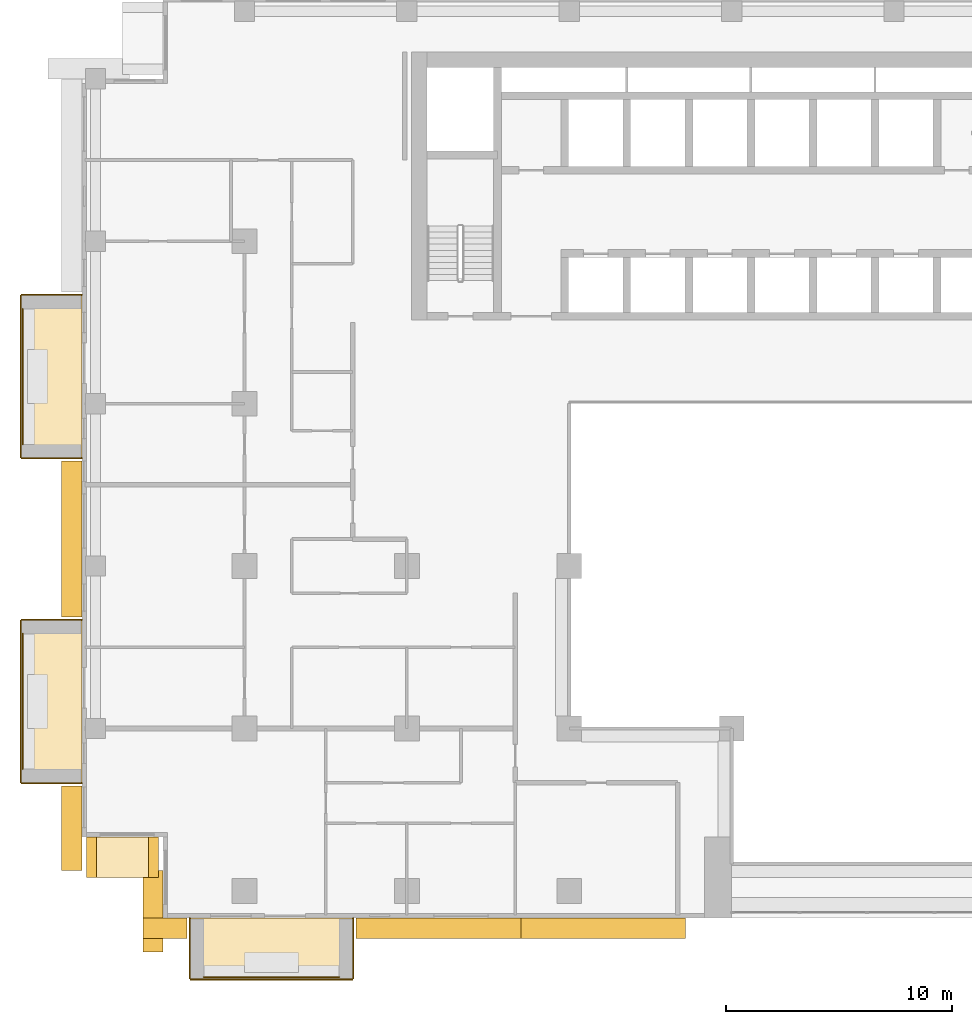
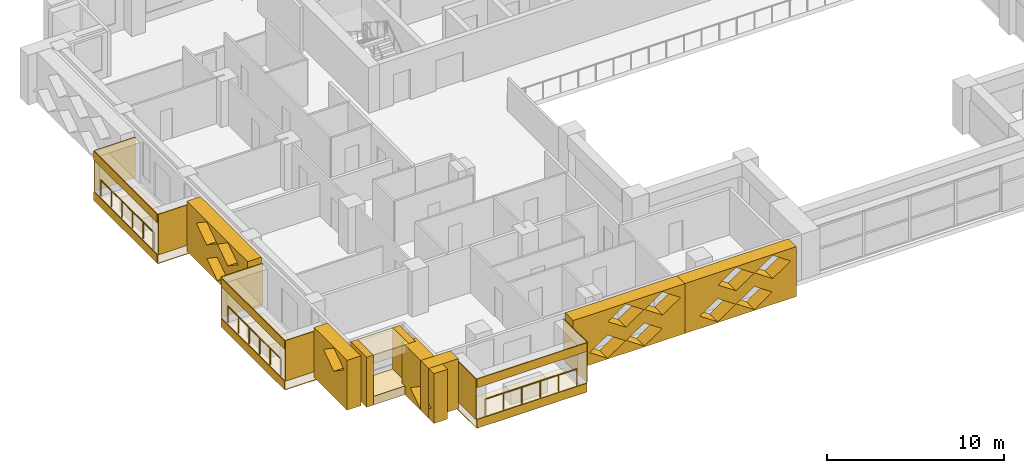
# One storey, part 13 of 19: 25 coverings, 3 railings.
"""IFC4 building model written with IfcOpenShell, lengths in metres."""

from ifc_helpers import new_model, si_unit, direction, frame, origin, origin_2d, place, context, subcontext, project, spatial, polyline, circle, outline, extrude, material, layer, layer_set, type_object, element, save


model = new_model("IFC4")

# Units and contexts
model_context = context("Model", 3, precision=1e-05, world=origin(), true_north=direction((0.0, 1.0)))
body_context = subcontext(model_context, "Body", "Model", "MODEL_VIEW")
ifc_project = project(units=[si_unit("LENGTHUNIT", "METRE"), si_unit("AREAUNIT", "SQUARE_METRE"), si_unit("VOLUMEUNIT", "CUBIC_METRE"), si_unit("PLANEANGLEUNIT", "RADIAN"), si_unit("MASSUNIT", "GRAM", prefix="KILO")], contexts=[model_context])

# Site, building, storey
site_placement = place(None, origin())
site = spatial("IfcSite", under=ifc_project, at=site_placement, CompositionType="ELEMENT")
building_placement = place(site_placement, origin())
building = spatial("IfcBuilding", under=site, at=building_placement, Name="Saffron Iwan Residences", CompositionType="ELEMENT")
storey_placement = place(building_placement, frame((0.0, 0.0, 134.0)))
storey = spatial("IfcBuildingStorey", under=building, at=storey_placement, Name="L35", CompositionType="ELEMENT", Elevation=134.0)

# Railings
ifc_material_1 = material(Name="Stainless steel 316", Category="steel")
railing_type = type_object("IfcRailingType", Name="BALCONY GUARD 1150", PredefinedType="GUARDRAIL", material=ifc_material_1)
for number, where, name in (
    (1, (11.77490234375, 66.60009765625, 0.0), "Balcony guard L35 F8-0"),
    (2, (11.77490234375, 52.199951171875, 0.0), "Balcony guard L35 F8-1"),
):
    element("IfcRailing", number, at=place(storey_placement, frame(where)), inside=storey, type_object=railing_type, Name=name, PredefinedType="GUARDRAIL", context=body_context, shape_type="SweptSolid", body=[
        extrude(circle(Radius=0.02392578125, at=origin_2d()), frame((0.0, 0.0, 1.1259765625), z_axis=(0.0, -1.0, 0.0), x_axis=(1.0, 0.0, 0.0)), (0.0, 0.0, 1.0), 6.0),
        extrude(circle(Radius=0.02099609375, at=origin_2d()), origin(), (0.0, 0.0, 1.0), 1.101806640625),
        extrude(circle(Radius=0.02099609375, at=origin_2d()), frame((0.0, -1.199951171875, 0.0)), (0.0, 0.0, 1.0), 1.101806640625),
        extrude(circle(Radius=0.02099609375, at=origin_2d()), frame((0.0, -2.39990234375, 0.0)), (0.0, 0.0, 1.0), 1.101806640625),
        extrude(circle(Radius=0.02099609375, at=origin_2d()), frame((0.0, -3.60009765625, 0.0)), (0.0, 0.0, 1.0), 1.101806640625),
        extrude(circle(Radius=0.02099609375, at=origin_2d()), frame((0.0, -4.800048828125, 0.0)), (0.0, 0.0, 1.0), 1.101806640625),
        extrude(circle(Radius=0.02099609375, at=origin_2d()), frame((0.0, -6.0, 0.0)), (0.0, 0.0, 1.0), 1.101806640625),
    ])
railing_placement = place(storey_placement, frame((19.800048828125, 36.97509765625, 0.0)))
element("IfcRailing", 3, at=railing_placement, inside=storey, type_object=railing_type, Name="Balcony guard L35 11-0", PredefinedType="GUARDRAIL", context=body_context, shape_type="SweptSolid", body=[
    extrude(circle(Radius=0.02392578125, at=origin_2d()), frame((0.0, 0.0, 1.1259765625), z_axis=(1.0, 0.0, 0.0), x_axis=(0.0, 1.0, 0.0)), (0.0, 0.0, 1.0), 6.0),
    extrude(circle(Radius=0.02099609375, at=origin_2d()), origin(), (0.0, 0.0, 1.0), 1.101806640625),
    extrude(circle(Radius=0.02099609375, at=origin_2d()), frame((1.199951171875, 0.0, 0.0)), (0.0, 0.0, 1.0), 1.101806640625),
    extrude(circle(Radius=0.02099609375, at=origin_2d()), frame((2.39990234375, 0.0, 0.0)), (0.0, 0.0, 1.0), 1.101806640625),
    extrude(circle(Radius=0.02099609375, at=origin_2d()), frame((3.60009765625, 0.0, 0.0)), (0.0, 0.0, 1.0), 1.101806640625),
    extrude(circle(Radius=0.02099609375, at=origin_2d()), frame((4.800048828125, 0.0, 0.0)), (0.0, 0.0, 1.0), 1.101806640625),
    extrude(circle(Radius=0.02099609375, at=origin_2d()), frame((6.0, 0.0, 0.0)), (0.0, 0.0, 1.0), 1.101806640625),
])

# Coverings
ifc_material_2 = material(Name="Precast concrete C40/50 white painted", Category="concrete")
ifc_layer = layer(ifc_material_2, 0.050048828125)
ifc_layer_set = layer_set([ifc_layer], Name="Precast concrete C40/50 white painted")
covering_type_1 = type_object("IfcCoveringType", Name="FRAME SKIN PRECAST WHITE 50", PredefinedType="CLADDING", material=ifc_layer_set)
for number, where, name in (
    (4, (0.0, 0.0, -0.60009765625), "Frame skin slab edge L35 F8-0"),
    (5, (0.0, 0.0, 2.199951171875), "Frame skin fascia L35 F8-0"),
):
    element("IfcCovering", number, at=place(storey_placement, frame(where)), inside=storey, type_object=covering_type_1, Name=name, PredefinedType="CLADDING", context=body_context, shape_type="SweptSolid", body=[
        extrude(outline(polyline([(11.64990234375, 67.199951171875), (11.64990234375, 60.0), (11.699951171875, 60.0), (11.699951171875, 67.199951171875), (11.64990234375, 67.199951171875)])), origin(), (0.0, 0.0, 1.0), 0.60009765625),
    ])
covering_1_placement = place(storey_placement, frame((0.0, 0.0, -0.64990234375)))
element("IfcCovering", 6, at=covering_1_placement, inside=storey, type_object=covering_type_1, Name="Frame skin soffit L35 F8-0", PredefinedType="CLADDING", context=body_context, shape_type="SweptSolid", body=[
    extrude(outline(polyline([(11.699951171875, 67.199951171875), (11.699951171875, 60.0), (14.39990234375, 60.0), (14.39990234375, 67.199951171875), (11.699951171875, 67.199951171875)])), origin(), (0.0, 0.0, 1.0), 0.0498046875),
])
covering_2_placement = place(storey_placement, origin())
element("IfcCovering", 7, at=covering_2_placement, inside=storey, type_object=covering_type_1, Name="Frame skin fin L35 F8-0a", PredefinedType="CLADDING", context=body_context, shape_type="SweptSolid", body=[
    extrude(outline(polyline([(11.699951171875, 67.25), (11.699951171875, 67.199951171875), (14.39990234375, 67.199951171875), (14.39990234375, 67.25), (11.699951171875, 67.25)])), origin(), (0.0, 0.0, 1.0), 2.800048828125),
])
covering_3_placement = place(storey_placement, origin())
element("IfcCovering", 8, at=covering_3_placement, inside=storey, type_object=covering_type_1, Name="Frame skin fin L35 F8-0b", PredefinedType="CLADDING", context=body_context, shape_type="SweptSolid", body=[
    extrude(outline(polyline([(11.699951171875, 60.0), (11.699951171875, 59.949951171875), (14.39990234375, 59.949951171875), (14.39990234375, 60.0), (11.699951171875, 60.0)])), origin(), (0.0, 0.0, 1.0), 2.800048828125),
])
for number, where, name in (
    (9, (0.0, 0.0, -0.60009765625), "Frame skin slab edge L35 F8-1"),
    (10, (0.0, 0.0, 2.199951171875), "Frame skin fascia L35 F8-1"),
):
    element("IfcCovering", number, at=place(storey_placement, frame(where)), inside=storey, type_object=covering_type_1, Name=name, PredefinedType="CLADDING", context=body_context, shape_type="SweptSolid", body=[
        extrude(outline(polyline([(11.64990234375, 52.800048828125), (11.64990234375, 45.60009765625), (11.699951171875, 45.60009765625), (11.699951171875, 52.800048828125), (11.64990234375, 52.800048828125)])), origin(), (0.0, 0.0, 1.0), 0.60009765625),
    ])
covering_4_placement = place(storey_placement, frame((0.0, 0.0, -0.64990234375)))
element("IfcCovering", 11, at=covering_4_placement, inside=storey, type_object=covering_type_1, Name="Frame skin soffit L35 F8-1", PredefinedType="CLADDING", context=body_context, shape_type="SweptSolid", body=[
    extrude(outline(polyline([(11.699951171875, 52.800048828125), (11.699951171875, 45.60009765625), (14.39990234375, 45.60009765625), (14.39990234375, 52.800048828125), (11.699951171875, 52.800048828125)])), origin(), (0.0, 0.0, 1.0), 0.0498046875),
])
covering_5_placement = place(storey_placement, origin())
element("IfcCovering", 12, at=covering_5_placement, inside=storey, type_object=covering_type_1, Name="Frame skin fin L35 F8-1a", PredefinedType="CLADDING", context=body_context, shape_type="SweptSolid", body=[
    extrude(outline(polyline([(11.699951171875, 52.85009765625), (11.699951171875, 52.800048828125), (14.39990234375, 52.800048828125), (14.39990234375, 52.85009765625), (11.699951171875, 52.85009765625)])), origin(), (0.0, 0.0, 1.0), 2.800048828125),
])
covering_6_placement = place(storey_placement, origin())
element("IfcCovering", 13, at=covering_6_placement, inside=storey, type_object=covering_type_1, Name="Frame skin fin L35 F8-1b", PredefinedType="CLADDING", context=body_context, shape_type="SweptSolid", body=[
    extrude(outline(polyline([(11.699951171875, 45.60009765625), (11.699951171875, 45.550048828125), (14.39990234375, 45.550048828125), (14.39990234375, 45.60009765625), (11.699951171875, 45.60009765625)])), origin(), (0.0, 0.0, 1.0), 2.800048828125),
])
for number, where, name in (
    (14, (0.0, 0.0, -0.60009765625), "Frame skin slab edge L35 11-0"),
    (15, (0.0, 0.0, 2.199951171875), "Frame skin fascia L35 11-0"),
):
    element("IfcCovering", number, at=place(storey_placement, frame(where)), inside=storey, type_object=covering_type_1, Name=name, PredefinedType="CLADDING", context=body_context, shape_type="SweptSolid", body=[
        extrude(outline(polyline([(19.199951171875, 36.85009765625), (26.39990234375, 36.85009765625), (26.39990234375, 36.89990234375), (19.199951171875, 36.89990234375), (19.199951171875, 36.85009765625)])), origin(), (0.0, 0.0, 1.0), 0.60009765625),
    ])
covering_7_placement = place(storey_placement, frame((0.0, 0.0, -0.64990234375)))
element("IfcCovering", 16, at=covering_7_placement, inside=storey, type_object=covering_type_1, Name="Frame skin soffit L35 11-0", PredefinedType="CLADDING", context=body_context, shape_type="SweptSolid", body=[
    extrude(outline(polyline([(19.199951171875, 36.89990234375), (26.39990234375, 36.89990234375), (26.39990234375, 39.60009765625), (19.199951171875, 39.60009765625), (19.199951171875, 36.89990234375)])), origin(), (0.0, 0.0, 1.0), 0.0498046875),
])
covering_8_placement = place(storey_placement, origin())
element("IfcCovering", 17, at=covering_8_placement, inside=storey, type_object=covering_type_1, Name="Frame skin fin L35 11-0a", PredefinedType="CLADDING", context=body_context, shape_type="SweptSolid", body=[
    extrude(outline(polyline([(19.14990234375, 36.89990234375), (19.199951171875, 36.89990234375), (19.199951171875, 39.60009765625), (19.14990234375, 39.60009765625), (19.14990234375, 36.89990234375)])), origin(), (0.0, 0.0, 1.0), 2.800048828125),
])
covering_9_placement = place(storey_placement, origin())
element("IfcCovering", 18, at=covering_9_placement, inside=storey, type_object=covering_type_1, Name="Frame skin fin L35 11-0b", PredefinedType="CLADDING", context=body_context, shape_type="SweptSolid", body=[
    extrude(outline(polyline([(26.39990234375, 36.89990234375), (26.449951171875, 36.89990234375), (26.449951171875, 39.60009765625), (26.39990234375, 39.60009765625), (26.39990234375, 36.89990234375)])), origin(), (0.0, 0.0, 1.0), 2.800048828125),
])
ifc_material_3 = material(Name="Precast concrete C40/50", Category="concrete")
covering_type_2 = type_object("IfcCoveringType", Name="OUTER SKIN LATTICE SCREEN", PredefinedType="CLADDING", material=ifc_material_3)
covering_10_placement = place(storey_placement, frame((14.39990234375, 59.85009765625, -0.300048828125), z_axis=(-1.0, 0.0, 0.0), x_axis=(0.0, -1.0, 0.0)))
element("IfcCovering", 19, at=covering_10_placement, inside=storey, type_object=covering_type_2, Name="OUTER SKIN lattice screen L35 F8.1", PredefinedType="CLADDING", context=body_context, shape_type="SweptSolid", body=[
    extrude(outline(polyline([(0.0, 0.0), (6.89990234375, 0.0), (6.89990234375, 3.449951171875), (0.0, 3.449951171875), (0.0, 0.0)]), holes=[polyline([(2.27001953125, 0.862548828125), (3.449951171875, 0.06005859375), (4.6298828125, 0.862548828125), (3.449951171875, 1.6650390625), (2.27001953125, 0.862548828125)]), polyline([(1.070068359375, 2.58740234375), (2.25, 1.784912109375), (3.429931640625, 2.58740234375), (2.25, 3.389892578125), (1.070068359375, 2.58740234375)]), polyline([(3.469970703125, 2.58740234375), (4.64990234375, 1.784912109375), (5.830078125, 2.58740234375), (4.64990234375, 3.389892578125), (3.469970703125, 2.58740234375)])]), origin(), (0.0, 0.0, 1.0), 0.89990234375),
])
covering_11_placement = place(storey_placement, frame((14.39990234375, 45.449951171875, -0.300048828125), z_axis=(-1.0, 0.0, 0.0), x_axis=(0.0, -1.0, 0.0)))
element("IfcCovering", 20, at=covering_11_placement, inside=storey, type_object=covering_type_2, Name="OUTER SKIN lattice screen L35 F8.2", PredefinedType="CLADDING", context=body_context, shape_type="SweptSolid", body=[
    extrude(outline(polyline([(0.0, 0.0), (3.75, 0.0), (3.75, 3.449951171875), (0.0, 3.449951171875), (0.0, 0.0)]), holes=[polyline([(1.070068359375, 2.58740234375), (2.25, 1.784912109375), (3.429931640625, 2.58740234375), (2.25, 3.389892578125), (1.070068359375, 2.58740234375)])]), origin(), (0.0, 0.0, 1.0), 0.89990234375),
])
covering_12_placement = place(storey_placement, frame((18.0, 41.699951171875, -0.300048828125), z_axis=(-1.0, 0.0, 0.0), x_axis=(0.0, -1.0, 0.0)))
element("IfcCovering", 21, at=covering_12_placement, inside=storey, type_object=covering_type_2, Name="OUTER SKIN lattice screen L35 F10.0", PredefinedType="CLADDING", context=body_context, shape_type="SweptSolid", body=[
    extrude(outline(polyline([(0.0, 0.0), (3.60009765625, 0.0), (3.60009765625, 3.449951171875), (0.0, 3.449951171875), (0.0, 0.0)]), holes=[polyline([(0.919921875, 0.862548828125), (2.10009765625, 0.06005859375), (3.280029296875, 0.862548828125), (2.10009765625, 1.6650390625), (0.919921875, 0.862548828125)])]), origin(), (0.0, 0.0, 1.0), 0.89990234375),
])
covering_13_placement = place(storey_placement, frame((17.10009765625, 39.60009765625, -0.300048828125), z_axis=(0.0, -1.0, 0.0), x_axis=(1.0, 0.0, 0.0)))
element("IfcCovering", 22, at=covering_13_placement, inside=storey, type_object=covering_type_2, Name="OUTER SKIN lattice screen L35 F11.0", PredefinedType="CLADDING", context=body_context, shape_type="SweptSolid", body=[
    extrude(outline(polyline([(0.0, 0.0), (1.949951171875, 0.0), (1.949951171875, 3.449951171875), (0.0, 3.449951171875), (0.0, 0.0)])), origin(), (0.0, 0.0, 1.0), 0.900146484375),
])
covering_14_placement = place(storey_placement, frame((26.550048828125, 39.60009765625, -0.300048828125), z_axis=(0.0, -1.0, 0.0), x_axis=(1.0, 0.0, 0.0)))
element("IfcCovering", 23, at=covering_14_placement, inside=storey, type_object=covering_type_2, Name="OUTER SKIN lattice screen L35 F11.1", PredefinedType="CLADDING", context=body_context, shape_type="SweptSolid", body=[
    extrude(outline(polyline([(0.0, 0.0), (7.300048828125, 0.0), (7.300048828125, 3.449951171875), (0.0, 3.449951171875), (0.0, 0.0)]), holes=[polyline([(1.070068359375, 0.862548828125), (2.25, 0.06005859375), (3.429931640625, 0.862548828125), (2.25, 1.6650390625), (1.070068359375, 0.862548828125)]), polyline([(3.469970703125, 0.862548828125), (4.64990234375, 0.06005859375), (5.830078125, 0.862548828125), (4.64990234375, 1.6650390625), (3.469970703125, 0.862548828125)]), polyline([(2.27001953125, 2.58740234375), (3.449951171875, 1.784912109375), (4.6298828125, 2.58740234375), (3.449951171875, 3.389892578125), (2.27001953125, 2.58740234375)]), polyline([(4.669921875, 2.58740234375), (5.85009765625, 1.784912109375), (7.030029296875, 2.58740234375), (5.85009765625, 3.389892578125), (4.669921875, 2.58740234375)])]), origin(), (0.0, 0.0, 1.0), 0.900146484375),
])
covering_15_placement = place(storey_placement, frame((33.85009765625, 39.60009765625, -0.300048828125), z_axis=(0.0, -1.0, 0.0), x_axis=(1.0, 0.0, 0.0)))
element("IfcCovering", 24, at=covering_15_placement, inside=storey, type_object=covering_type_2, Name="OUTER SKIN lattice screen L35 F11.2", PredefinedType="CLADDING", context=body_context, shape_type="SweptSolid", body=[
    extrude(outline(polyline([(0.0, 0.0), (7.300048828125, 0.0), (7.300048828125, 3.449951171875), (0.0, 3.449951171875), (0.0, 0.0)]), holes=[polyline([(0.969970703125, 0.862548828125), (2.14990234375, 0.06005859375), (3.330078125, 0.862548828125), (2.14990234375, 1.6650390625), (0.969970703125, 0.862548828125)]), polyline([(3.3701171875, 0.862548828125), (4.550048828125, 0.06005859375), (5.72998046875, 0.862548828125), (4.550048828125, 1.6650390625), (3.3701171875, 0.862548828125)]), polyline([(2.169921875, 2.58740234375), (3.35009765625, 1.784912109375), (4.530029296875, 2.58740234375), (3.35009765625, 3.389892578125), (2.169921875, 2.58740234375)]), polyline([(4.570068359375, 2.58740234375), (5.75, 1.784912109375), (6.929931640625, 2.58740234375), (5.75, 3.389892578125), (4.570068359375, 2.58740234375)])]), origin(), (0.0, 0.0, 1.0), 0.900146484375),
])
covering_type_3 = type_object("IfcCoveringType", Name="WHITE SUN FRAME PRECAST", PredefinedType="CLADDING", material=ifc_material_2)
for number, where, z_axis, x_axis, name in (
    (25, (14.60009765625, 43.199951171875, -0.300048828125), (0.0, -1.0, 0.0), (1.0, 0.0, 0.0), "Sun frame L35 F9 0.2a"),
    (26, (17.35009765625, 43.199951171875, -0.300048828125), (0.0, -1.0, 0.0), (1.0, 0.0, 0.0), "Sun frame L35 F9 0.2b"),
):
    element("IfcCovering", number, at=place(storey_placement, frame(where, z_axis=z_axis, x_axis=x_axis)), inside=storey, type_object=covering_type_3, Name=name, PredefinedType="CLADDING", context=body_context, shape_type="SweptSolid", body=[
        extrude(outline(polyline([(0.0, 0.0), (0.449951171875, 0.0), (0.449951171875, 3.449951171875), (0.0, 3.449951171875), (0.0, 0.0)])), origin(), (0.0, 0.0, 1.0), 1.800048828125),
    ])
for number, where, z_axis, x_axis, name in (
    (27, (15.050048828125, 43.199951171875, 2.550048828125), (0.0, -1.0, 0.0), (1.0, 0.0, 0.0), "Sun frame L35 F9 0.2h"),
    (28, (15.050048828125, 43.199951171875, -0.300048828125), (0.0, -1.0, 0.0), (1.0, 0.0, 0.0), "Sun frame L35 F9 0.2s"),
):
    element("IfcCovering", number, at=place(storey_placement, frame(where, z_axis=z_axis, x_axis=x_axis)), inside=storey, type_object=covering_type_3, Name=name, PredefinedType="CLADDING", context=body_context, shape_type="SweptSolid", body=[
        extrude(outline(polyline([(0.0, 0.0), (2.300048828125, 0.0), (2.300048828125, 0.60009765625), (0.0, 0.60009765625), (0.0, 0.0)])), origin(), (0.0, 0.0, 1.0), 1.800048828125),
    ])

save(model, "model.ifc")
